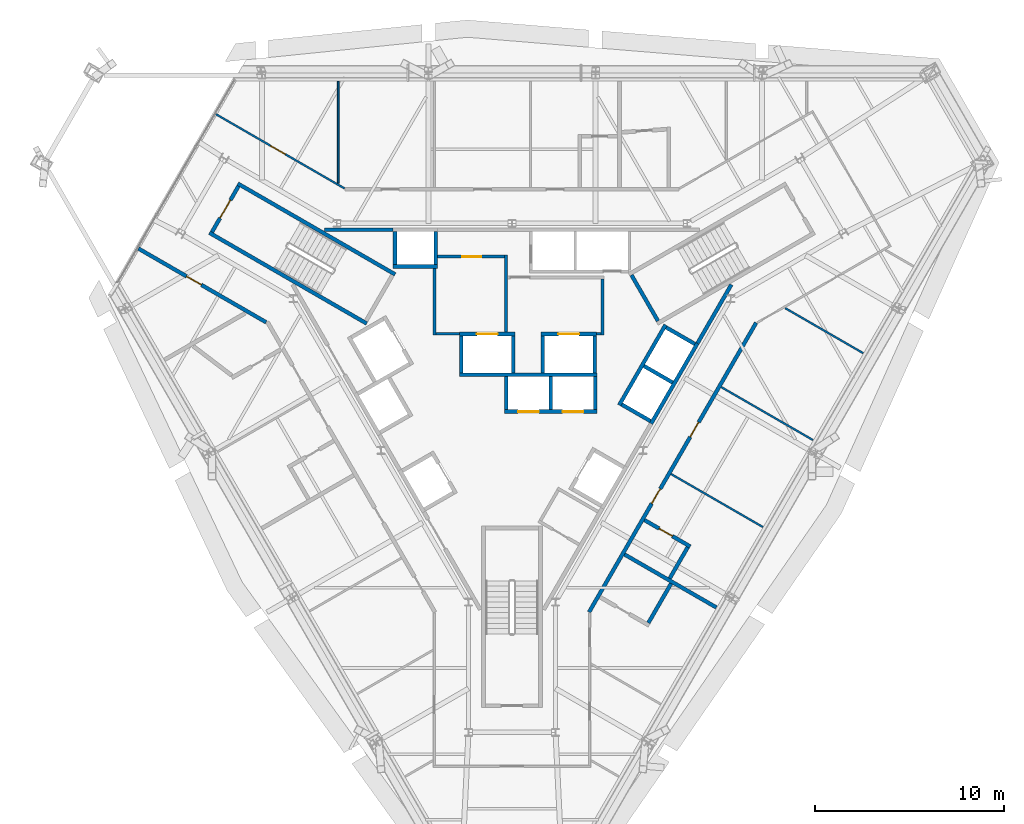
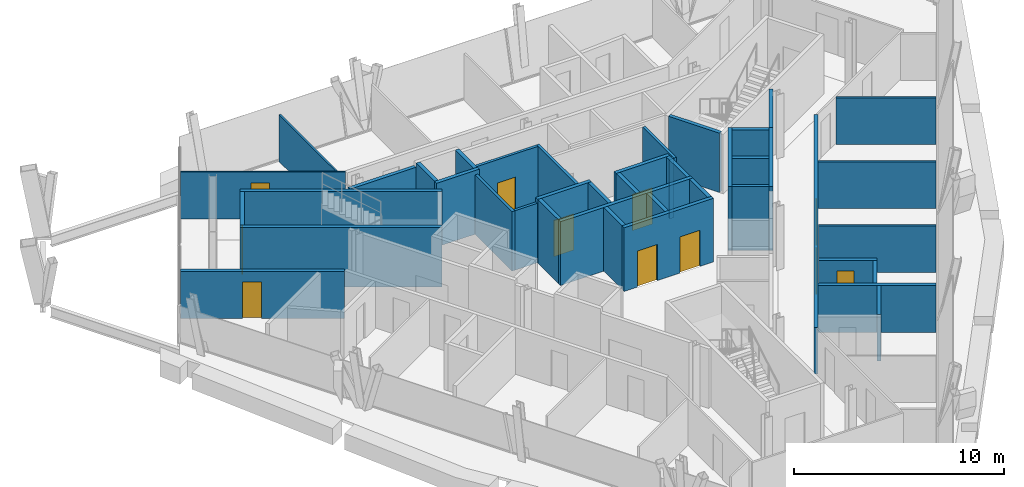
# One storey, part 8 of 11: 42 walls, 11 doors, 11 openings.
"""IFC4 building model written with IfcOpenShell, lengths in metres."""

from ifc_helpers import new_model, si_unit, direction, frame, frame_2d, origin, place, context, subcontext, project, spatial, rectangle, extrude, material, layer, layer_set, type_object, element, fill, save


model = new_model("IFC4")

# Units and contexts
model_context = context("Model", 3, precision=1e-05, world=origin(), true_north=direction((0.0, 1.0)))
body_context = subcontext(model_context, "Body", "Model", "MODEL_VIEW")
ifc_project = project(units=[si_unit("LENGTHUNIT", "METRE"), si_unit("AREAUNIT", "SQUARE_METRE"), si_unit("VOLUMEUNIT", "CUBIC_METRE"), si_unit("PLANEANGLEUNIT", "RADIAN"), si_unit("MASSUNIT", "GRAM", prefix="KILO")], contexts=[model_context])

# Site, building, storey
site_placement = place(None, origin())
site = spatial("IfcSite", under=ifc_project, at=site_placement, CompositionType="ELEMENT")
building_placement = place(site_placement, origin())
building = spatial("IfcBuilding", under=site, at=building_placement, Name="Verrane Prism Tower", CompositionType="ELEMENT")
storey_placement = place(building_placement, frame((0.0, 0.0, 232.300048828125)))
storey = spatial("IfcBuildingStorey", under=building, at=storey_placement, Name="L58", CompositionType="ELEMENT", Elevation=232.300048828125)

# Walls
ifc_material_1 = material(Name="Gypsum board partition", Category="other")
ifc_layer_1 = layer(ifc_material_1, 0.199951171875)
ifc_layer_set_1 = layer_set([ifc_layer_1], Name="CW-200 core boundary wall 2 h")
wall_type_1 = type_object("IfcWallType", Name="CW-200 core boundary wall 2 h", PredefinedType="PARTITIONING", material=ifc_layer_set_1)
wall_1_placement = place(storey_placement, frame((-9.907958984375, 7.659912109375, 0.0), z_axis=(0.0, 0.0, 1.0), x_axis=(1.0, 0.0, 0.0)))
element("IfcWall", 1, at=wall_1_placement, inside=storey, type_object=wall_type_1, Name="Core boundary wall CW3-002", PredefinedType="PARTITIONING", context=body_context, shape_type="SweptSolid", body=[
    extrude(rectangle(XDim=3.620849609375, YDim=0.199951171875, at=frame_2d((1.810546875, 0.0))), origin(), (0.0, 0.0, 1.0), 3.449951171875),
])
wall_2_placement = place(storey_placement, frame((9.802978515625, 1.657958984375, 0.0), z_axis=(0.0, 0.0, 1.0), x_axis=(0.499943114462, 0.866058244174, 0.0)))
element("IfcWall", 2, at=wall_2_placement, inside=storey, type_object=wall_type_1, Name="Core boundary wall CW3-008", PredefinedType="PARTITIONING", context=body_context, shape_type="SweptSolid", body=[
    extrude(rectangle(XDim=3.57568359375, YDim=0.199951171875, at=frame_2d((1.787841796875, 0.0))), origin(), (0.0, 0.0, 1.0), 3.449951171875),
])
ifc_material_2 = material(Name="Concrete C40/50", Category="concrete")
ifc_layer_2 = layer(ifc_material_2, 0.199951171875)
ifc_layer_set_2 = layer_set([ifc_layer_2], Name="CW-200 stair core wall concrete C40/50 3 h")
wall_type_2 = type_object("IfcWallType", Name="CW-200 stair core wall concrete C40/50 3 h", PredefinedType="PARTITIONING", material=ifc_layer_set_2)
wall_3_placement = place(storey_placement, frame((7.71484375, 2.837646484375, 0.0), z_axis=(0.0, 0.0, 1.0), x_axis=(-0.500049511043, 0.865996816683, 0.0)))
element("IfcWall", 3, at=wall_3_placement, inside=storey, type_object=wall_type_2, Name="Stair 1 enclosure wall", PredefinedType="PARTITIONING", context=body_context, shape_type="SweptSolid", body=[
    extrude(rectangle(XDim=2.800048828125, YDim=0.199951171875, at=frame_2d((1.39990234375, 0.0))), origin(), (0.0, 0.0, 1.0), 3.449951171875),
])

# Wall, opening, door
wall_4_placement = place(storey_placement, frame((-14.455322265625, 9.96240234375, 0.0), z_axis=(0.0, 0.0, 1.0), x_axis=(-0.500049511043, -0.865996816683, 0.0)))
wall_4 = element("IfcWall", 4, at=wall_4_placement, inside=storey, type_object=wall_type_2, Name="Stair 2 enclosure wall", PredefinedType="PARTITIONING", context=body_context, shape_type="SweptSolid", body=[
    extrude(rectangle(XDim=2.800048828125, YDim=0.199951171875, at=frame_2d((1.39990234375, 0.0))), origin(), (0.0, 0.0, 1.0), 3.449951171875),
])
opening_1_placement = place(wall_4_placement, frame((0.849853515625, 0.0, 0.0)))
opening_1 = element("IfcOpeningElement", 5, at=opening_1_placement, cuts=wall_4, Name="Opening D57501", PredefinedType="OPENING", context=body_context, shape_type="SweptSolid", body=[
    extrude(rectangle(XDim=1.10009765625, YDim=2.10009765625, at=frame_2d((0.550048828125, 1.050048828125))), frame((0.0, 0.10986328125, 0.0), z_axis=(0.0, -1.0, 0.0), x_axis=(1.0, 0.0, 0.0)), (0.0, 0.0, 1.0), 0.219970703125),
])
ifc_material_3 = material(Name="Timber veneered door leaf", Category="wood")
door_type_1 = type_object("IfcDoorType", Name="DR-1100x2100 FD90 single leaf stair", OperationType="NOTDEFINED", PredefinedType="DOOR", material=ifc_material_3)
door_1_placement = place(opening_1_placement, origin())
door_1 = element("IfcDoor", 6, at=door_1_placement, inside=storey, type_object=door_type_1, Name="Stair 2 door", OperationType="SINGLE_SWING_RIGHT", OverallHeight=2.10009765625, OverallWidth=1.10009765625, PredefinedType="DOOR", context=body_context, shape_type="SweptSolid", body=[
    extrude(rectangle(XDim=1.10009765625, YDim=2.10009765625, at=frame_2d((0.550048828125, 1.050048828125))), frame((0.0, 0.02490234375, 0.0), z_axis=(0.0, -1.0, 0.0), x_axis=(1.0, 0.0, 0.0)), (0.0, 0.0, 1.0), 0.050048828125),
])
fill(opening_1, door_1)

# Walls
for number, where, z_axis, x_axis, name in (
    (7, (-7.67822265625, 2.700927734375, 0.0), (0.0, 0.0, 1.0), (-0.866019993635, 0.500009370536, 0.0), "Stair 2 enclosure wall"),
    (8, (-6.17822265625, 5.299072265625, 0.0), (0.0, 0.0, 1.0), (-0.866019993635, 0.500009370536, 0.0), "Stair 2 enclosure wall"),
):
    element("IfcWall", number, at=place(storey_placement, frame(where, z_axis=z_axis, x_axis=x_axis)), inside=storey, type_object=wall_type_2, Name=name, PredefinedType="PARTITIONING", context=body_context, shape_type="SweptSolid", body=[
        extrude(rectangle(XDim=9.599853515625, YDim=0.199951171875, at=frame_2d((4.7998046875, 0.0))), origin(), (0.0, 0.0, 1.0), 3.449951171875),
    ])

# Wall, openings, doors
ifc_material_4 = material(Name="Gypsum board shaft wall assembly", Category="other")
ifc_layer_3 = layer(ifc_material_4, 0.199951171875)
ifc_layer_set_3 = layer_set([ifc_layer_3], Name="HW-200 lift shaft wall 2 h")
wall_type_3 = type_object("IfcWallType", Name="HW-200 lift shaft wall 2 h", PredefinedType="PARTITIONING", material=ifc_layer_set_3)
wall_5_placement = place(storey_placement, frame((-0.405029296875, -1.949951171875, 0.0), z_axis=(0.0, 0.0, 1.0), x_axis=(1.0, 0.0, 0.0)))
wall_5 = element("IfcWall", 9, at=wall_5_placement, inside=storey, type_object=wall_type_3, Name="Lift shaft wall", PredefinedType="PARTITIONING", context=body_context, shape_type="SweptSolid", body=[
    extrude(rectangle(XDim=4.900146484375, YDim=0.199951171875, at=frame_2d((2.4501953125, 0.0))), origin(), (0.0, 0.0, 1.0), 3.699951171875),
])
opening_2_placement = place(wall_5_placement, frame((0.72509765625, 0.0, 0.0)))
opening_2 = element("IfcOpeningElement", 10, at=opening_2_placement, cuts=wall_5, Name="Opening D57503", PredefinedType="OPENING", context=body_context, shape_type="SweptSolid", body=[
    extrude(rectangle(XDim=1.10009765625, YDim=2.10009765625, at=frame_2d((0.550048828125, 1.050048828125))), frame((0.0, 0.10986328125, 0.0), z_axis=(0.0, -1.0, 0.0), x_axis=(1.0, 0.0, 0.0)), (0.0, 0.0, 1.0), 0.219970703125),
])
opening_3_placement = place(wall_5_placement, frame((3.074951171875, 0.0, 0.0)))
opening_3 = element("IfcOpeningElement", 11, at=opening_3_placement, cuts=wall_5, Name="Opening D57504", PredefinedType="OPENING", context=body_context, shape_type="SweptSolid", body=[
    extrude(rectangle(XDim=1.10009765625, YDim=2.10009765625, at=frame_2d((0.550048828125, 1.050048828125))), frame((0.0, 0.10986328125, 0.0), z_axis=(0.0, -1.0, 0.0), x_axis=(1.0, 0.0, 0.0)), (0.0, 0.0, 1.0), 0.219970703125),
])
ifc_material_5 = material(Name="Stainless steel sliding landing door", Category="steel")
door_type_2 = type_object("IfcDoorType", Name="LD-1100x2100 lift landing door FD90 sliding", OperationType="NOTDEFINED", PredefinedType="DOOR", material=ifc_material_5)
door_2_placement = place(opening_2_placement, origin())
door_2 = element("IfcDoor", 12, at=door_2_placement, inside=storey, type_object=door_type_2, Name="Bank B lift 1 landing door", OperationType="SLIDING_TO_LEFT", OverallHeight=2.10009765625, OverallWidth=1.10009765625, PredefinedType="DOOR", context=body_context, shape_type="SweptSolid", body=[
    extrude(rectangle(XDim=1.10009765625, YDim=2.10009765625, at=frame_2d((0.550048828125, 1.050048828125))), frame((0.0, 0.02490234375, 0.0), z_axis=(0.0, -1.0, 0.0), x_axis=(1.0, 0.0, 0.0)), (0.0, 0.0, 1.0), 0.050048828125),
])
fill(opening_2, door_2)
door_3_placement = place(opening_3_placement, origin())
door_3 = element("IfcDoor", 13, at=door_3_placement, inside=storey, type_object=door_type_2, Name="Bank B lift 2 landing door", OperationType="SLIDING_TO_RIGHT", OverallHeight=2.10009765625, OverallWidth=1.10009765625, PredefinedType="DOOR", context=body_context, shape_type="SweptSolid", body=[
    extrude(rectangle(XDim=1.10009765625, YDim=2.10009765625, at=frame_2d((0.550048828125, 1.050048828125))), frame((0.0, 0.02490234375, 0.0), z_axis=(0.0, -1.0, 0.0), x_axis=(1.0, 0.0, 0.0)), (0.0, 0.0, 1.0), 0.050048828125),
])
fill(opening_3, door_3)

# Wall
wall_6_placement = place(storey_placement, frame((-2.784912109375, 0.0, 0.0), z_axis=(0.0, 0.0, 1.0), x_axis=(1.0, 0.0, 0.0)))
element("IfcWall", 14, at=wall_6_placement, inside=storey, type_object=wall_type_3, Name="Lift shaft wall", PredefinedType="PARTITIONING", context=body_context, shape_type="SweptSolid", body=[
    extrude(rectangle(XDim=7.280029296875, YDim=0.199951171875, at=frame_2d((3.64013671875, 0.0))), origin(), (0.0, 0.0, 1.0), 3.699951171875),
])

# Wall, opening, door
wall_7_placement = place(storey_placement, frame((-2.784912109375, 2.14990234375, 0.0), z_axis=(0.0, 0.0, 1.0), x_axis=(1.0, 0.0, 0.0)))
wall_7 = element("IfcWall", 15, at=wall_7_placement, inside=storey, type_object=wall_type_3, Name="Lift shaft wall", PredefinedType="PARTITIONING", context=body_context, shape_type="SweptSolid", body=[
    extrude(rectangle(XDim=2.949951171875, YDim=0.199951171875, at=frame_2d((1.47509765625, 0.0))), origin(), (0.0, 0.0, 1.0), 3.699951171875),
])
opening_4_placement = place(wall_7_placement, frame((0.925048828125, 0.0, 0.0)))
opening_4 = element("IfcOpeningElement", 16, at=opening_4_placement, cuts=wall_7, Name="Opening D57507", PredefinedType="OPENING", context=body_context, shape_type="SweptSolid", body=[
    extrude(rectangle(XDim=1.10009765625, YDim=2.10009765625, at=frame_2d((0.550048828125, 1.050048828125))), frame((0.0, 0.10986328125, 0.0), z_axis=(0.0, -1.0, 0.0), x_axis=(1.0, 0.0, 0.0)), (0.0, 0.0, 1.0), 0.219970703125),
])
door_4_placement = place(opening_4_placement, origin())
door_4 = element("IfcDoor", 17, at=door_4_placement, inside=storey, type_object=door_type_2, Name="Fire service lift 1 landing door", OperationType="SLIDING_TO_LEFT", OverallHeight=2.10009765625, OverallWidth=1.10009765625, PredefinedType="DOOR", context=body_context, shape_type="SweptSolid", body=[
    extrude(rectangle(XDim=1.10009765625, YDim=2.10009765625, at=frame_2d((0.550048828125, 1.050048828125))), frame((0.0, 0.02490234375, 0.0), z_axis=(0.0, -1.0, 0.0), x_axis=(1.0, 0.0, 0.0)), (0.0, 0.0, 1.0), 0.050048828125),
])
fill(opening_4, door_4)

wall_8_placement = place(storey_placement, frame((1.52490234375, 2.14990234375, 0.0), z_axis=(0.0, 0.0, 1.0), x_axis=(1.0, 0.0, 0.0)))
wall_8 = element("IfcWall", 18, at=wall_8_placement, inside=storey, type_object=wall_type_3, Name="Lift shaft wall", PredefinedType="PARTITIONING", context=body_context, shape_type="SweptSolid", body=[
    extrude(rectangle(XDim=2.9501953125, YDim=0.199951171875, at=frame_2d((1.47509765625, 0.0))), origin(), (0.0, 0.0, 1.0), 3.699951171875),
])
opening_5_placement = place(wall_8_placement, frame((0.925048828125, 0.0, 0.0)))
opening_5 = element("IfcOpeningElement", 19, at=opening_5_placement, cuts=wall_8, Name="Opening D57508", PredefinedType="OPENING", context=body_context, shape_type="SweptSolid", body=[
    extrude(rectangle(XDim=1.10009765625, YDim=2.10009765625, at=frame_2d((0.550048828125, 1.050048828125))), frame((0.0, 0.10986328125, 0.0), z_axis=(0.0, -1.0, 0.0), x_axis=(1.0, 0.0, 0.0)), (0.0, 0.0, 1.0), 0.219970703125),
])
door_5_placement = place(opening_5_placement, origin())
door_5 = element("IfcDoor", 20, at=door_5_placement, inside=storey, type_object=door_type_2, Name="Fire service lift 2 landing door", OperationType="SLIDING_TO_RIGHT", OverallHeight=2.10009765625, OverallWidth=1.10009765625, PredefinedType="DOOR", context=body_context, shape_type="SweptSolid", body=[
    extrude(rectangle(XDim=1.10009765625, YDim=2.10009765625, at=frame_2d((0.550048828125, 1.050048828125))), frame((0.0, 0.02490234375, 0.0), z_axis=(0.0, -1.0, 0.0), x_axis=(1.0, 0.0, 0.0)), (0.0, 0.0, 1.0), 0.050048828125),
])
fill(opening_5, door_5)

# Walls
wall_9_placement = place(storey_placement, frame((-6.284912109375, 5.7099609375, 0.0), z_axis=(0.0, 0.0, 1.0), x_axis=(1.0, 0.0, 0.0)))
element("IfcWall", 21, at=wall_9_placement, inside=storey, type_object=wall_type_3, Name="Lift shaft wall", PredefinedType="PARTITIONING", context=body_context, shape_type="SweptSolid", body=[
    extrude(rectangle(XDim=2.349853515625, YDim=0.199951171875, at=frame_2d((1.1748046875, 0.0))), origin(), (0.0, 0.0, 1.0), 3.699951171875),
])
wall_10_placement = place(storey_placement, frame((7.351318359375, -2.587158203125, 0.0), z_axis=(0.0, 0.0, 1.0), x_axis=(0.500002801628, 0.866023786258, 0.0)))
element("IfcWall", 22, at=wall_10_placement, inside=storey, type_object=wall_type_3, Name="Lift shaft wall", PredefinedType="PARTITIONING", context=body_context, shape_type="SweptSolid", body=[
    extrude(rectangle(XDim=4.89990234375, YDim=0.199951171875, at=frame_2d((2.449951171875, 0.0))), origin(), (0.0, 0.0, 1.0), 3.699951171875),
])
wall_11_placement = place(storey_placement, frame((5.66259765625, -1.6123046875, 0.0), z_axis=(0.0, 0.0, 1.0), x_axis=(0.49998122708, 0.866036242063, 0.0)))
element("IfcWall", 23, at=wall_11_placement, inside=storey, type_object=wall_type_3, Name="Lift shaft wall", PredefinedType="PARTITIONING", context=body_context, shape_type="SweptSolid", body=[
    extrude(rectangle(XDim=4.900146484375, YDim=0.199951171875, at=frame_2d((2.4501953125, 0.0))), origin(), (0.0, 0.0, 1.0), 3.699951171875),
])
wall_12_placement = place(storey_placement, frame((4.39501953125, -1.85009765625, 0.0), z_axis=(0.0, 0.0, 1.0), x_axis=(0.0, 1.0, 0.0)))
element("IfcWall", 24, at=wall_12_placement, inside=storey, type_object=wall_type_3, Name="Lift shaft wall", PredefinedType="PARTITIONING", context=body_context, shape_type="SweptSolid", body=[
    extrude(rectangle(XDim=1.75, YDim=0.199951171875, at=frame_2d((0.875, 0.0))), origin(), (0.0, 0.0, 1.0), 3.699951171875),
])
wall_13_placement = place(storey_placement, frame((4.375, 0.10009765625, 0.0), z_axis=(0.0, 0.0, 1.0), x_axis=(0.0, 1.0, 0.0)))
element("IfcWall", 25, at=wall_13_placement, inside=storey, type_object=wall_type_3, Name="Lift shaft wall", PredefinedType="PARTITIONING", context=body_context, shape_type="SweptSolid", body=[
    extrude(rectangle(XDim=1.949951171875, YDim=0.199951171875, at=frame_2d((0.97509765625, 0.0))), origin(), (0.0, 0.0, 1.0), 3.699951171875),
])
wall_14_placement = place(storey_placement, frame((2.044921875, -1.85009765625, 0.0), z_axis=(0.0, 0.0, 1.0), x_axis=(0.0, 1.0, 0.0)))
element("IfcWall", 26, at=wall_14_placement, inside=storey, type_object=wall_type_3, Name="Lift shaft wall", PredefinedType="PARTITIONING", context=body_context, shape_type="SweptSolid", body=[
    extrude(rectangle(XDim=1.75, YDim=0.199951171875, at=frame_2d((0.875, 0.0))), origin(), (0.0, 0.0, 1.0), 3.699951171875),
])
for number, where, z_axis, x_axis, name in (
    (27, (1.625, 0.10009765625, 0.0), (0.0, 0.0, 1.0), (0.0, 1.0, 0.0), "Lift shaft wall"),
    (28, (0.06494140625, 0.10009765625, 0.0), (0.0, 0.0, 1.0), (0.0, 1.0, 0.0), "Lift shaft wall"),
):
    element("IfcWall", number, at=place(storey_placement, frame(where, z_axis=z_axis, x_axis=x_axis)), inside=storey, type_object=wall_type_3, Name=name, PredefinedType="PARTITIONING", context=body_context, shape_type="SweptSolid", body=[
        extrude(rectangle(XDim=1.949951171875, YDim=0.199951171875, at=frame_2d((0.97509765625, 0.0))), origin(), (0.0, 0.0, 1.0), 3.699951171875),
    ])
wall_15_placement = place(storey_placement, frame((-0.304931640625, -1.85009765625, 0.0), z_axis=(0.0, 0.0, 1.0), x_axis=(0.0, 1.0, 0.0)))
element("IfcWall", 29, at=wall_15_placement, inside=storey, type_object=wall_type_3, Name="Lift shaft wall", PredefinedType="PARTITIONING", context=body_context, shape_type="SweptSolid", body=[
    extrude(rectangle(XDim=1.75, YDim=0.199951171875, at=frame_2d((0.875, 0.0))), origin(), (0.0, 0.0, 1.0), 3.699951171875),
])
wall_16_placement = place(storey_placement, frame((-2.68505859375, 0.10009765625, 0.0), z_axis=(0.0, 0.0, 1.0), x_axis=(0.0, 1.0, 0.0)))
element("IfcWall", 30, at=wall_16_placement, inside=storey, type_object=wall_type_3, Name="Lift shaft wall", PredefinedType="PARTITIONING", context=body_context, shape_type="SweptSolid", body=[
    extrude(rectangle(XDim=1.949951171875, YDim=0.199951171875, at=frame_2d((0.97509765625, 0.0))), origin(), (0.0, 0.0, 1.0), 3.699951171875),
])
for number, where, z_axis, x_axis, name in (
    (31, (-4.034912109375, 5.81005859375, 0.0), (0.0, 0.0, 1.0), (0.0, 1.0, 0.0), "Lift shaft wall"),
    (32, (-6.18505859375, 5.81005859375, 0.0), (0.0, 0.0, 1.0), (0.0, 1.0, 0.0), "Lift shaft wall"),
):
    element("IfcWall", number, at=place(storey_placement, frame(where, z_axis=z_axis, x_axis=x_axis)), inside=storey, type_object=wall_type_3, Name=name, PredefinedType="PARTITIONING", context=body_context, shape_type="SweptSolid", body=[
        extrude(rectangle(XDim=1.75, YDim=0.199951171875, at=frame_2d((0.875, 0.0))), origin(), (0.0, 0.0, 1.0), 3.699951171875),
    ])
wall_17_placement = place(storey_placement, frame((9.66455078125, 1.61962890625, 0.0), z_axis=(0.0, 0.0, 1.0), x_axis=(-0.866002029911, 0.500040482552, 0.0)))
element("IfcWall", 33, at=wall_17_placement, inside=storey, type_object=wall_type_3, Name="Lift shaft wall", PredefinedType="PARTITIONING", context=body_context, shape_type="SweptSolid", body=[
    extrude(rectangle(XDim=1.749755859375, YDim=0.199951171875, at=frame_2d((0.875, 0.0))), origin(), (0.0, 0.0, 1.0), 3.699951171875),
])
for number, where, z_axis, x_axis, name in (
    (34, (8.48974609375, -0.41552734375, 0.0), (0.0, 0.0, 1.0), (-0.866036909293, 0.499980071345, 0.0), "Lift shaft wall"),
    (35, (7.314697265625, -2.45068359375, 0.0), (0.0, 0.0, 1.0), (-0.866036909293, 0.499980071345, 0.0), "Lift shaft wall"),
):
    element("IfcWall", number, at=place(storey_placement, frame(where, z_axis=z_axis, x_axis=x_axis)), inside=storey, type_object=wall_type_3, Name=name, PredefinedType="PARTITIONING", context=body_context, shape_type="SweptSolid", body=[
        extrude(rectangle(XDim=1.75, YDim=0.199951171875, at=frame_2d((0.875, 0.0))), origin(), (0.0, 0.0, 1.0), 3.699951171875),
    ])
ifc_material_6 = material(Name="Gypsum board partition", Category="other")
ifc_layer_4 = layer(ifc_material_6, 0.14990234375)
ifc_layer_set_4 = layer_set([ifc_layer_4], Name="LF-150 firefighting lobby wall 1 h")
wall_type_4 = type_object("IfcWallType", Name="LF-150 firefighting lobby wall 1 h", PredefinedType="PARTITIONING", material=ifc_layer_set_4)
wall_18_placement = place(storey_placement, frame((-4.10009765625, 2.0849609375, 0.0), z_axis=(0.0, 0.0, 1.0), x_axis=(0.0, 1.0, 0.0)))
element("IfcWall", 36, at=wall_18_placement, inside=storey, type_object=wall_type_4, Name="Firefighting lobby wall LF1-001", PredefinedType="PARTITIONING", context=body_context, shape_type="SweptSolid", body=[
    extrude(rectangle(XDim=3.52294921875, YDim=0.14990234375, at=frame_2d((1.761474609375, 0.0))), origin(), (0.0, 0.0, 1.0), 3.449951171875),
])
wall_19_placement = place(storey_placement, frame((-4.02490234375, 2.159912109375, 0.0), z_axis=(0.0, 0.0, 1.0), x_axis=(1.0, 0.0, 0.0)))
element("IfcWall", 37, at=wall_19_placement, inside=storey, type_object=wall_type_4, Name="Firefighting lobby wall LF1-002", PredefinedType="PARTITIONING", context=body_context, shape_type="SweptSolid", body=[
    extrude(rectangle(XDim=1.23779296875, YDim=0.14990234375, at=frame_2d((0.618896484375, 0.0))), origin(), (0.0, 0.0, 1.0), 3.449951171875),
])

# Wall, opening, door
wall_20_placement = place(storey_placement, frame((-3.93310546875, 6.239990234375, 0.0), z_axis=(0.0, 0.0, 1.0), x_axis=(1.0, 0.0, 0.0)))
wall_20 = element("IfcWall", 38, at=wall_20_placement, inside=storey, type_object=wall_type_4, Name="Firefighting lobby wall LF1-003", PredefinedType="PARTITIONING", context=body_context, shape_type="SweptSolid", body=[
    extrude(rectangle(XDim=3.5380859375, YDim=0.14990234375, at=frame_2d((1.76904296875, 0.0))), origin(), (0.0, 0.0, 1.0), 3.449951171875),
])
opening_6_placement = place(wall_20_placement, frame((1.300048828125, 0.0, 0.0)))
opening_6 = element("IfcOpeningElement", 39, at=opening_6_placement, cuts=wall_20, Name="Opening D57512", PredefinedType="OPENING", context=body_context, shape_type="SweptSolid", body=[
    extrude(rectangle(XDim=1.0, YDim=2.10009765625, at=frame_2d((0.5, 1.050048828125))), frame((0.0, 0.0849609375, 0.0), z_axis=(0.0, -1.0, 0.0), x_axis=(1.0, 0.0, 0.0)), (0.0, 0.0, 1.0), 0.169921875),
])
ifc_material_7 = material(Name="Timber veneered door leaf", Category="wood")
door_type_3 = type_object("IfcDoorType", Name="DR-1000x2100 FD60 single leaf firefighting lobby", OperationType="NOTDEFINED", PredefinedType="DOOR", material=ifc_material_7)
door_6_placement = place(opening_6_placement, origin())
door_6 = element("IfcDoor", 40, at=door_6_placement, inside=storey, type_object=door_type_3, Name="Firefighting lobby door D57512", OperationType="SINGLE_SWING_LEFT", OverallHeight=2.10009765625, OverallWidth=1.0, PredefinedType="DOOR", context=body_context, shape_type="SweptSolid", body=[
    extrude(rectangle(XDim=1.0, YDim=2.10009765625, at=frame_2d((0.5, 1.050048828125))), frame((0.0, 0.02490234375, 0.0), z_axis=(0.0, -1.0, 0.0), x_axis=(1.0, 0.0, 0.0)), (0.0, 0.0, 1.0), 0.050048828125),
])
fill(opening_6, door_6)

# Walls
wall_21_placement = place(storey_placement, frame((-0.320068359375, 2.251953125, 0.0), z_axis=(0.0, 0.0, 1.0), x_axis=(0.0, 1.0, 0.0)))
element("IfcWall", 41, at=wall_21_placement, inside=storey, type_object=wall_type_4, Name="Firefighting lobby wall LF1-004", PredefinedType="PARTITIONING", context=body_context, shape_type="SweptSolid", body=[
    extrude(rectangle(XDim=4.06298828125, YDim=0.14990234375, at=frame_2d((2.031494140625, 0.0))), origin(), (0.0, 0.0, 1.0), 3.449951171875),
])
wall_22_placement = place(storey_placement, frame((4.47705078125, 2.159912109375, 0.0), z_axis=(0.0, 0.0, 1.0), x_axis=(1.0, 0.0, 0.0)))
element("IfcWall", 42, at=wall_22_placement, inside=storey, type_object=wall_type_4, Name="Firefighting lobby wall LF1-006", PredefinedType="PARTITIONING", context=body_context, shape_type="SweptSolid", body=[
    extrude(rectangle(XDim=0.238037109375, YDim=0.14990234375, at=frame_2d((0.119140625, 0.0))), origin(), (0.0, 0.0, 1.0), 3.449951171875),
])
wall_23_placement = place(storey_placement, frame((4.7900390625, 2.0849609375, 0.0), z_axis=(0.0, 0.0, 1.0), x_axis=(0.0, 1.0, 0.0)))
element("IfcWall", 43, at=wall_23_placement, inside=storey, type_object=wall_type_4, Name="Firefighting lobby wall LF1-007", PredefinedType="PARTITIONING", context=body_context, shape_type="SweptSolid", body=[
    extrude(rectangle(XDim=2.97998046875, YDim=0.14990234375, at=frame_2d((1.489990234375, 0.0))), origin(), (0.0, 0.0, 1.0), 3.449951171875),
])

# Wall, opening, door
ifc_material_8 = material(Name="Gypsum board partition", Category="other")
ifc_layer_5 = layer(ifc_material_8, 0.10009765625)
ifc_layer_set_5 = layer_set([ifc_layer_5], Name="PW-100 room partition")
wall_type_5 = type_object("IfcWallType", Name="PW-100 room partition", PredefinedType="PARTITIONING", material=ifc_layer_set_5)
wall_24_placement = place(storey_placement, frame((-15.641845703125, 13.76171875, 0.0), z_axis=(0.0, 0.0, 1.0), x_axis=(0.866090699522, -0.499886887406, 0.0)))
wall_24 = element("IfcWall", 44, at=wall_24_placement, inside=storey, type_object=wall_type_5, Name="Room partition 004", PredefinedType="PARTITIONING", context=body_context, shape_type="SweptSolid", body=[
    extrude(rectangle(XDim=7.840087890625, YDim=0.10009765625, at=frame_2d((3.919921875, 0.0))), origin(), (0.0, 0.0, 1.0), 2.712890625),
])
opening_7_placement = place(wall_24_placement, frame((3.335205078125, 0.0, 0.0)))
opening_7 = element("IfcOpeningElement", 45, at=opening_7_placement, cuts=wall_24, Name="Opening D57009", PredefinedType="OPENING", context=body_context, shape_type="SweptSolid", body=[
    extrude(rectangle(XDim=0.89990234375, YDim=2.10009765625, at=frame_2d((0.449951171875, 1.050048828125))), frame((0.0, 0.06005859375, 0.0), z_axis=(0.0, -1.0, 0.0), x_axis=(1.0, 0.0, 0.0)), (0.0, 0.0, 1.0), 0.1201171875),
])
ifc_material_9 = material(Name="Timber veneered door leaf", Category="wood")
door_type_4 = type_object("IfcDoorType", Name="DR-900x2100 single leaf unit", OperationType="NOTDEFINED", PredefinedType="DOOR", material=ifc_material_9)
door_7_placement = place(opening_7_placement, origin())
door_7 = element("IfcDoor", 46, at=door_7_placement, inside=storey, type_object=door_type_4, Name="Study door", OperationType="SINGLE_SWING_LEFT", OverallHeight=2.10009765625, OverallWidth=0.89990234375, PredefinedType="DOOR", context=body_context, shape_type="SweptSolid", body=[
    extrude(rectangle(XDim=0.89990234375, YDim=2.10009765625, at=frame_2d((0.449951171875, 1.050048828125))), frame((0.0, 0.02490234375, 0.0), z_axis=(0.0, -1.0, 0.0), x_axis=(1.0, 0.0, 0.0)), (0.0, 0.0, 1.0), 0.050048828125),
])
fill(opening_7, door_7)

# Walls
wall_25_placement = place(storey_placement, frame((-9.18505859375, 10.12158203125, 0.0), z_axis=(0.0, 0.0, 1.0), x_axis=(0.0, 1.0, 0.0)))
element("IfcWall", 47, at=wall_25_placement, inside=storey, type_object=wall_type_5, Name="Room partition 012", PredefinedType="PARTITIONING", context=body_context, shape_type="SweptSolid", body=[
    extrude(rectangle(XDim=5.384521484375, YDim=0.10009765625, at=frame_2d((2.6923828125, 0.0))), origin(), (0.0, 0.0, 1.0), 2.712890625),
])
wall_26_placement = place(storey_placement, frame((8.406982421875, -5.25146484375, 0.0), z_axis=(0.0, 0.0, 1.0), x_axis=(0.866061432277, -0.499937591627, 0.0)))
element("IfcWall", 48, at=wall_26_placement, inside=storey, type_object=wall_type_5, Name="Room partition 034", PredefinedType="PARTITIONING", context=body_context, shape_type="SweptSolid", body=[
    extrude(rectangle(XDim=5.599365234375, YDim=0.10009765625, at=frame_2d((2.7998046875, 0.0))), origin(), (0.0, 0.0, 1.0), 2.712890625),
])
wall_27_placement = place(storey_placement, frame((11.058837890625, -0.657470703125, 0.0), z_axis=(0.0, 0.0, 1.0), x_axis=(0.866064348871, -0.499932539064, 0.0)))
element("IfcWall", 49, at=wall_27_placement, inside=storey, type_object=wall_type_5, Name="Room partition 036", PredefinedType="PARTITIONING", context=body_context, shape_type="SweptSolid", body=[
    extrude(rectangle(XDim=5.599853515625, YDim=0.10009765625, at=frame_2d((2.7998046875, 0.0))), origin(), (0.0, 0.0, 1.0), 2.712890625),
])
wall_28_placement = place(storey_placement, frame((14.43798828125, 3.5166015625, 0.0), z_axis=(0.0, 0.0, 1.0), x_axis=(0.866006230416, -0.500033207779, 0.0)))
element("IfcWall", 50, at=wall_28_placement, inside=storey, type_object=wall_type_5, Name="Room partition 039", PredefinedType="PARTITIONING", context=body_context, shape_type="SweptSolid", body=[
    extrude(rectangle(XDim=4.760498046875, YDim=0.10009765625, at=frame_2d((2.38037109375, 0.0))), origin(), (0.0, 0.0, 1.0), 2.712890625),
])

# Wall, opening, door
ifc_material_10 = material(Name="Gypsum board partition", Category="other")
ifc_layer_6 = layer(ifc_material_10, 0.199951171875)
ifc_layer_set_6 = layer_set([ifc_layer_6], Name="PW-200 plumbing wall")
wall_type_6 = type_object("IfcWallType", Name="PW-200 plumbing wall", PredefinedType="PARTITIONING", material=ifc_layer_set_6)
wall_29_placement = place(storey_placement, frame((-12.994873046875, 2.76953125, 0.0), z_axis=(0.0, 0.0, 1.0), x_axis=(-0.866060835767, 0.499938624983, 0.0)))
wall_29 = element("IfcWall", 51, at=wall_29_placement, inside=storey, type_object=wall_type_6, Name="Plumbing wall 001", PredefinedType="PARTITIONING", context=body_context, shape_type="SweptSolid", body=[
    extrude(rectangle(XDim=7.78857421875, YDim=0.199951171875, at=frame_2d((3.894287109375, 0.0))), origin(), (0.0, 0.0, 1.0), 2.712890625),
])
opening_8_placement = place(wall_29_placement, frame((3.953857421875, 0.0, 0.0)))
opening_8 = element("IfcOpeningElement", 52, at=opening_8_placement, cuts=wall_29, Name="Opening D57010", PredefinedType="OPENING", context=body_context, shape_type="SweptSolid", body=[
    extrude(rectangle(XDim=0.89990234375, YDim=2.10009765625, at=frame_2d((0.449951171875, 1.050048828125))), frame((0.0, 0.10986328125, 0.0), z_axis=(0.0, -1.0, 0.0), x_axis=(1.0, 0.0, 0.0)), (0.0, 0.0, 1.0), 0.219970703125),
])
door_8_placement = place(opening_8_placement, origin())
door_8 = element("IfcDoor", 53, at=door_8_placement, inside=storey, type_object=door_type_4, Name="Kitchen door", OperationType="SINGLE_SWING_LEFT", OverallHeight=2.10009765625, OverallWidth=0.89990234375, PredefinedType="DOOR", context=body_context, shape_type="SweptSolid", body=[
    extrude(rectangle(XDim=0.89990234375, YDim=2.10009765625, at=frame_2d((0.449951171875, 1.050048828125))), frame((0.0, 0.02490234375, 0.0), z_axis=(0.0, -1.0, 0.0), x_axis=(1.0, 0.0, 0.0)), (0.0, 0.0, 1.0), 0.050048828125),
])
fill(opening_8, door_8)

# Wall, openings, doors
wall_30_placement = place(storey_placement, frame((12.903076171875, 2.745361328125, 0.0), z_axis=(0.0, 0.0, 1.0), x_axis=(-0.499999743747, -0.866025551732, 0.0)))
wall_30 = element("IfcWall", 54, at=wall_30_placement, inside=storey, type_object=wall_type_6, Name="Plumbing wall 025", PredefinedType="PARTITIONING", context=body_context, shape_type="SweptSolid", body=[
    extrude(rectangle(XDim=17.65625, YDim=0.199951171875, at=frame_2d((8.828125, 0.0))), origin(), (0.0, 0.0, 1.0), 2.712890625),
])
opening_9_placement = place(wall_30_placement, frame((10.134033203125, 0.0, 0.0)))
opening_9 = element("IfcOpeningElement", 55, at=opening_9_placement, cuts=wall_30, Name="Opening D57022", PredefinedType="OPENING", context=body_context, shape_type="SweptSolid", body=[
    extrude(rectangle(XDim=0.89990234375, YDim=2.10009765625, at=frame_2d((0.449951171875, 1.050048828125))), frame((0.0, 0.10986328125, 0.0), z_axis=(0.0, -1.0, 0.0), x_axis=(1.0, 0.0, 0.0)), (0.0, 0.0, 1.0), 0.219970703125),
])
opening_10_placement = place(wall_30_placement, frame((6.072998046875, 0.0, 0.0)))
opening_10 = element("IfcOpeningElement", 56, at=opening_10_placement, cuts=wall_30, Name="Opening D57024", PredefinedType="OPENING", context=body_context, shape_type="SweptSolid", body=[
    extrude(rectangle(XDim=0.89990234375, YDim=2.10009765625, at=frame_2d((0.449951171875, 1.050048828125))), frame((0.0, 0.10986328125, 0.0), z_axis=(0.0, -1.0, 0.0), x_axis=(1.0, 0.0, 0.0)), (0.0, 0.0, 1.0), 0.219970703125),
])
ifc_material_11 = material(Name="Timber veneered door leaf", Category="wood")
door_type_5 = type_object("IfcDoorType", Name="DR-900x2100 single leaf inner", OperationType="NOTDEFINED", PredefinedType="DOOR", material=ifc_material_11)
door_9_placement = place(opening_9_placement, origin())
door_9 = element("IfcDoor", 57, at=door_9_placement, inside=storey, type_object=door_type_5, Name="Bedroom door", OperationType="SINGLE_SWING_LEFT", OverallHeight=2.10009765625, OverallWidth=0.89990234375, PredefinedType="DOOR", context=body_context, shape_type="SweptSolid", body=[
    extrude(rectangle(XDim=0.89990234375, YDim=2.10009765625, at=frame_2d((0.449951171875, 1.050048828125))), frame((0.0, 0.02490234375, 0.0), z_axis=(0.0, -1.0, 0.0), x_axis=(1.0, 0.0, 0.0)), (0.0, 0.0, 1.0), 0.050048828125),
])
fill(opening_9, door_9)
door_10_placement = place(opening_10_placement, origin())
door_10 = element("IfcDoor", 58, at=door_10_placement, inside=storey, type_object=door_type_4, Name="Study door", OperationType="SINGLE_SWING_LEFT", OverallHeight=2.10009765625, OverallWidth=0.89990234375, PredefinedType="DOOR", context=body_context, shape_type="SweptSolid", body=[
    extrude(rectangle(XDim=0.89990234375, YDim=2.10009765625, at=frame_2d((0.449951171875, 1.050048828125))), frame((0.0, 0.02490234375, 0.0), z_axis=(0.0, -1.0, 0.0), x_axis=(1.0, 0.0, 0.0)), (0.0, 0.0, 1.0), 0.050048828125),
])
fill(opening_10, door_10)

# Wall
wall_31_placement = place(storey_placement, frame((5.947509765625, -9.501953125, 0.0), z_axis=(0.0, 0.0, 1.0), x_axis=(0.866028157966, -0.499995229588, 0.0)))
element("IfcWall", 59, at=wall_31_placement, inside=storey, type_object=wall_type_6, Name="Plumbing wall 029", PredefinedType="PARTITIONING", context=body_context, shape_type="SweptSolid", body=[
    extrude(rectangle(XDim=5.60400390625, YDim=0.199951171875, at=frame_2d((2.802001953125, 0.0))), origin(), (0.0, 0.0, 1.0), 2.712890625),
])

# Wall, opening, door
wall_32_placement = place(storey_placement, frame((9.422607421875, -9.0830078125, 0.0), z_axis=(0.0, 0.0, 1.0), x_axis=(-0.866041588165, 0.499971966783, 0.0)))
wall_32 = element("IfcWall", 60, at=wall_32_placement, inside=storey, type_object=wall_type_6, Name="Plumbing wall 030", PredefinedType="PARTITIONING", context=body_context, shape_type="SweptSolid", body=[
    extrude(rectangle(XDim=2.795166015625, YDim=0.199951171875, at=frame_2d((1.3974609375, 0.0))), origin(), (0.0, 0.0, 1.0), 2.712890625),
])
opening_11_placement = place(wall_32_placement, frame((1.10009765625, 0.0, 0.0)))
opening_11 = element("IfcOpeningElement", 61, at=opening_11_placement, cuts=wall_32, Name="Opening D57023", PredefinedType="OPENING", context=body_context, shape_type="SweptSolid", body=[
    extrude(rectangle(XDim=0.800048828125, YDim=2.10009765625, at=frame_2d((0.39990234375, 1.050048828125))), frame((0.0, 0.10986328125, 0.0), z_axis=(0.0, -1.0, 0.0), x_axis=(1.0, 0.0, 0.0)), (0.0, 0.0, 1.0), 0.219970703125),
])
ifc_material_12 = material(Name="Timber veneered door leaf", Category="wood")
door_type_6 = type_object("IfcDoorType", Name="DR-800x2100 single leaf bath", OperationType="NOTDEFINED", PredefinedType="DOOR", material=ifc_material_12)
door_11_placement = place(opening_11_placement, origin())
door_11 = element("IfcDoor", 62, at=door_11_placement, inside=storey, type_object=door_type_6, Name="Bathroom door", OperationType="SINGLE_SWING_RIGHT", OverallHeight=2.10009765625, OverallWidth=0.800048828125, PredefinedType="DOOR", context=body_context, shape_type="SweptSolid", body=[
    extrude(rectangle(XDim=0.800048828125, YDim=2.10009765625, at=frame_2d((0.39990234375, 1.050048828125))), frame((0.0, 0.02490234375, 0.0), z_axis=(0.0, -1.0, 0.0), x_axis=(1.0, 0.0, 0.0)), (0.0, 0.0, 1.0), 0.050048828125),
])
fill(opening_11, door_11)

# Walls
wall_33_placement = place(storey_placement, frame((7.208984375, -13.117431640625, 0.0), z_axis=(0.0, 0.0, 1.0), x_axis=(0.499913221443, 0.866075499611, 0.0)))
element("IfcWall", 63, at=wall_33_placement, inside=storey, type_object=wall_type_6, Name="Plumbing wall 031", PredefinedType="PARTITIONING", context=body_context, shape_type="SweptSolid", body=[
    extrude(rectangle(XDim=2.400390625, YDim=0.199951171875, at=frame_2d((1.2001953125, 0.0))), origin(), (0.0, 0.0, 1.0), 2.712890625),
])
wall_34_placement = place(storey_placement, frame((8.3359375, -10.765380859375, 0.0), z_axis=(0.0, 0.0, 1.0), x_axis=(0.499911523785, 0.866076479525, 0.0)))
element("IfcWall", 64, at=wall_34_placement, inside=storey, type_object=wall_type_6, Name="Plumbing wall 032", PredefinedType="PARTITIONING", context=body_context, shape_type="SweptSolid", body=[
    extrude(rectangle(XDim=1.900146484375, YDim=0.199951171875, at=frame_2d((0.9501953125, 0.0))), origin(), (0.0, 0.0, 1.0), 2.712890625),
])

save(model, "model.ifc")
